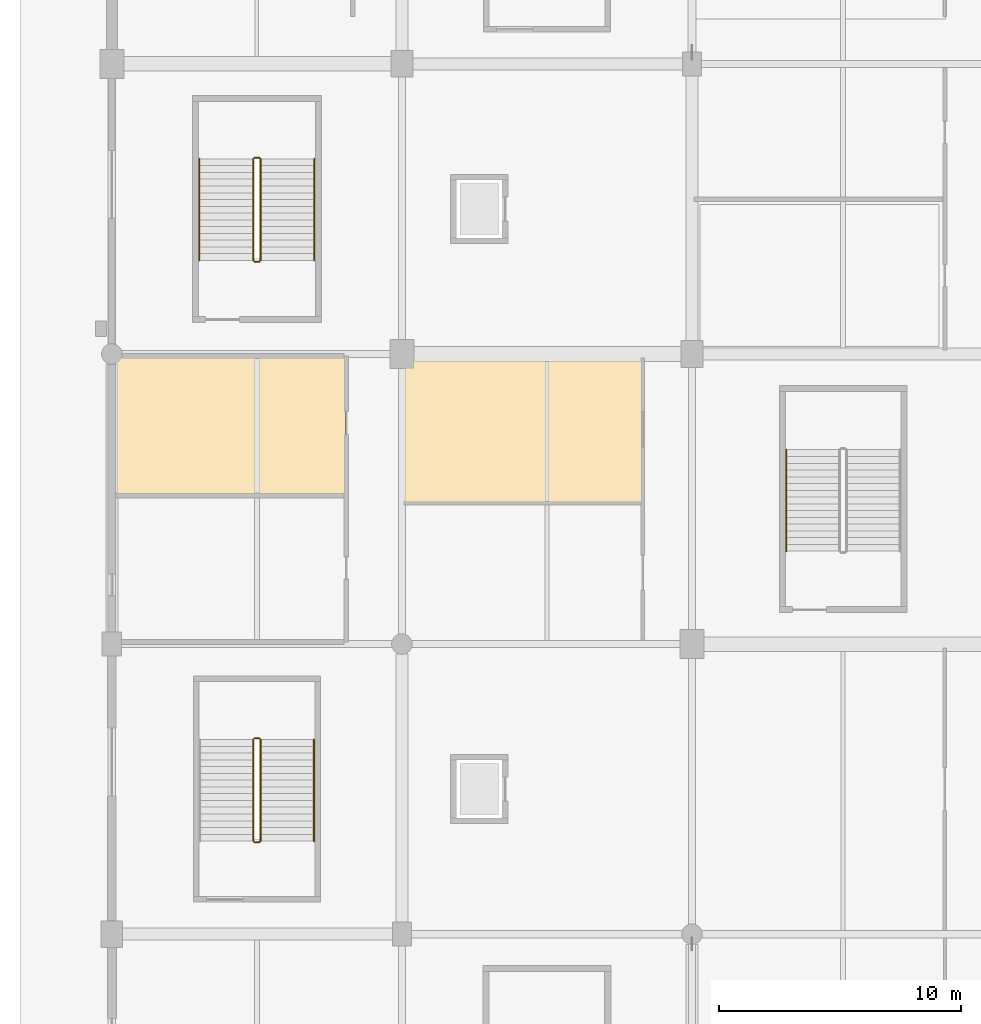
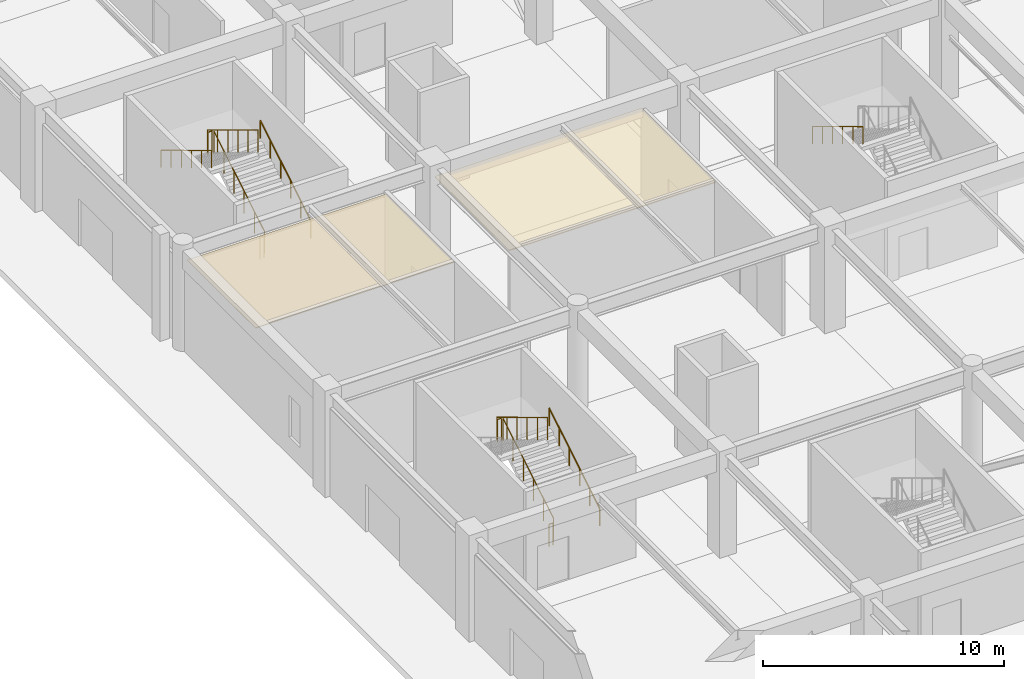
# One storey, part 46 of 69: 12 railings, 2 coverings.
"""IFC4 building model written with IfcOpenShell, lengths in metres."""

from ifc_helpers import new_model, si_unit, direction, frame, origin, origin_2d, place, context, subcontext, project, spatial, polyline, circle, outline, extrude, material, layer, layer_set, type_object, element, save


model = new_model("IFC4")

# Units and contexts
model_context = context("Model", 3, precision=1e-05, world=origin(), true_north=direction((0.0, 1.0)))
body_context = subcontext(model_context, "Body", "Model", "MODEL_VIEW")
ifc_project = project(units=[si_unit("LENGTHUNIT", "METRE"), si_unit("AREAUNIT", "SQUARE_METRE"), si_unit("VOLUMEUNIT", "CUBIC_METRE"), si_unit("PLANEANGLEUNIT", "RADIAN"), si_unit("MASSUNIT", "GRAM", prefix="KILO")], contexts=[model_context])

# Site, building, storey
site_placement = place(None, origin())
site = spatial("IfcSite", under=ifc_project, at=site_placement, CompositionType="ELEMENT")
building_placement = place(site_placement, origin())
building = spatial("IfcBuilding", under=site, at=building_placement, Name="Kazenohara Klinker Stadium", CompositionType="ELEMENT")
storey_placement = place(building_placement, origin())
storey = spatial("IfcBuildingStorey", under=building, at=storey_placement, Name="L00", CompositionType="ELEMENT", Elevation=0.0)

# Coverings
ifc_material_1 = material(Name="Perforated acoustic mineral-fibre ceiling tile", Category="gypsum")
ifc_layer_1 = layer(ifc_material_1, 0.030029296875)
ifc_layer_set_1 = layer_set([ifc_layer_1], Name="Perforated acoustic mineral-fibre ceiling tile")
covering_type_1 = type_object("IfcCoveringType", Name="COV-CEIL-01", PredefinedType="CEILING", material=ifc_layer_set_1)
covering_1_placement = place(storey_placement, frame((0.0, 0.0, 4.35009765625)))
element("IfcCovering", 1, at=covering_1_placement, inside=storey, type_object=covering_type_1, Name="Suspended acoustic ceiling CL01 Matchday Accreditation Security Suite", PredefinedType="CEILING", context=body_context, shape_type="SweptSolid", body=[
    extrude(outline(polyline([(0.1298828125, 78.179931640625), (9.669921875, 78.179931640625), (9.669921875, 83.8701171875), (0.1298828125, 83.8701171875), (0.1298828125, 78.179931640625)])), origin(), (0.0, 0.0, 1.0), 0.02978515625),
])
ifc_material_2 = material(Name="Slatted Hokkaido cedar acoustic baffle ceiling", Category="wood")
ifc_layer_2 = layer(ifc_material_2, 0.0400390625)
ifc_layer_set_2 = layer_set([ifc_layer_2], Name="Slatted Hokkaido cedar acoustic baffle ceiling")
covering_type_2 = type_object("IfcCoveringType", Name="COV-CEIL-02", PredefinedType="CEILING", material=ifc_layer_set_2)
covering_2_placement = place(storey_placement, frame((0.0, 0.0, 4.340087890625)))
element("IfcCovering", 2, at=covering_2_placement, inside=storey, type_object=covering_type_2, Name="Suspended acoustic ceiling CL02 Concourse Craft Beverage Tavern L00-0106B", PredefinedType="CEILING", context=body_context, shape_type="SweptSolid", body=[
    extrude(outline(polyline([(12.06005859375, 77.784912109375), (21.989990234375, 77.784912109375), (21.989990234375, 83.9599609375), (12.06005859375, 83.9599609375), (12.06005859375, 77.784912109375)])), origin(), (0.0, 0.0, 1.0), 0.039794921875),
])

# Railings
ifc_material_3 = material(Name="Brushed stainless steel 304 handrail", Category="steel")
ifc_layer_3 = layer(ifc_material_3, 0.050048828125)
ifc_layer_set_3 = layer_set([ifc_layer_3], Name="Brushed stainless steel 304 handrail")
railing_type_1 = type_object("IfcRailingType", Name="RL-HND-900", PredefinedType="HANDRAIL", material=ifc_layer_set_3)
for number, where, name in (
    (3, (8.360107421875, 63.85009765625, 0.168701171875), "L00 ST02 stair handrail 1"),
    (4, (8.3798828125, 87.8701171875, 0.168701171875), "L00 ST03 stair handrail 1"),
):
    element("IfcRailing", number, at=place(storey_placement, frame(where)), inside=storey, type_object=railing_type_1, Name=name, PredefinedType="HANDRAIL", context=body_context, shape_type="SweptSolid", body=[
        extrude(circle(Radius=0.02392578125, at=origin_2d()), frame((0.0, 0.0, 0.8759765625), z_axis=(0.0, 0.856476492594, 0.516186030065), x_axis=(-1.0, 0.0, 0.0)), (0.0, 0.0, 1.0), 4.90380859375),
        extrude(circle(Radius=0.02099609375, at=origin_2d()), origin(), (0.0, 0.0, 1.0), 0.851806640625),
        extrude(circle(Radius=0.02099609375, at=origin_2d()), frame((0.0, 0.840087890625, 0.50634765625)), (0.0, 0.0, 1.0), 0.851806640625),
        extrude(circle(Radius=0.02099609375, at=origin_2d()), frame((0.0, 1.679931640625, 1.012451171875)), (0.0, 0.0, 1.0), 0.851806640625),
        extrude(circle(Radius=0.02099609375, at=origin_2d()), frame((0.0, 2.52001953125, 1.518798828125)), (0.0, 0.0, 1.0), 0.851806640625),
        extrude(circle(Radius=0.02099609375, at=origin_2d()), frame((0.0, 3.35986328125, 2.02490234375)), (0.0, 0.0, 1.0), 0.851806640625),
        extrude(circle(Radius=0.02099609375, at=origin_2d()), frame((0.0, 4.199951171875, 2.53125)), (0.0, 0.0, 1.0), 0.851806640625),
    ])
for number, where, name in (
    (5, (3.6201171875, 92.070068359375, 2.86865234375), "L00 ST03 stair handrail 2"),
    (6, (27.89990234375, 80.0400390625, 2.86865234375), "L00 ST17 stair handrail 2"),
):
    element("IfcRailing", number, at=place(storey_placement, frame(where)), inside=storey, type_object=railing_type_1, Name=name, PredefinedType="HANDRAIL", context=body_context, shape_type="SweptSolid", body=[
        extrude(circle(Radius=0.02392578125, at=origin_2d()), frame((0.0, 0.0, 0.8759765625), z_axis=(0.0, -0.856476492594, 0.516186030065), x_axis=(1.0, 0.0, 0.0)), (0.0, 0.0, 1.0), 4.90380859375),
        extrude(circle(Radius=0.02099609375, at=origin_2d()), origin(), (0.0, 0.0, 1.0), 0.851806640625),
        extrude(circle(Radius=0.02099609375, at=origin_2d()), frame((0.0, -0.840087890625, 0.50634765625)), (0.0, 0.0, 1.0), 0.851806640625),
        extrude(circle(Radius=0.02099609375, at=origin_2d()), frame((0.0, -1.679931640625, 1.012451171875)), (0.0, 0.0, 1.0), 0.851806640625),
        extrude(circle(Radius=0.02099609375, at=origin_2d()), frame((0.0, -2.52001953125, 1.518798828125)), (0.0, 0.0, 1.0), 0.851806640625),
        extrude(circle(Radius=0.02099609375, at=origin_2d()), frame((0.0, -3.35986328125, 2.02490234375)), (0.0, 0.0, 1.0), 0.851806640625),
        extrude(circle(Radius=0.02099609375, at=origin_2d()), frame((0.0, -4.199951171875, 2.53125)), (0.0, 0.0, 1.0), 0.851806640625),
    ])
ifc_material_4 = material(Name="Painted steel stairwell guardrail", Category="steel")
ifc_layer_4 = layer(ifc_material_4, 0.06005859375)
ifc_layer_set_4 = layer_set([ifc_layer_4], Name="Painted steel stairwell guardrail")
railing_type_2 = type_object("IfcRailingType", Name="RL-STG-1120", PredefinedType="GUARDRAIL", material=ifc_layer_set_4)
railing_1_placement = place(storey_placement, frame((6.14990234375, 63.85009765625, 0.168701171875)))
element("IfcRailing", 7, at=railing_1_placement, inside=storey, type_object=railing_type_2, Name="L00 ST02 stair guard 1", PredefinedType="GUARDRAIL", context=body_context, shape_type="SweptSolid", body=[
    extrude(circle(Radius=0.02392578125, at=origin_2d()), frame((0.0, 0.0, 1.1259765625), z_axis=(0.0, 0.856476492594, 0.516186030065), x_axis=(-1.0, 0.0, 0.0)), (0.0, 0.0, 1.0), 4.90380859375),
    extrude(circle(Radius=0.02099609375, at=origin_2d()), origin(), (0.0, 0.0, 1.0), 1.101806640625),
    extrude(circle(Radius=0.02099609375, at=origin_2d()), frame((0.0, 0.840087890625, 0.50634765625)), (0.0, 0.0, 1.0), 1.101806640625),
    extrude(circle(Radius=0.02099609375, at=origin_2d()), frame((0.0, 1.679931640625, 1.012451171875)), (0.0, 0.0, 1.0), 1.101806640625),
    extrude(circle(Radius=0.02099609375, at=origin_2d()), frame((0.0, 2.52001953125, 1.518798828125)), (0.0, 0.0, 1.0), 1.101806640625),
    extrude(circle(Radius=0.02099609375, at=origin_2d()), frame((0.0, 3.35986328125, 2.02490234375)), (0.0, 0.0, 1.0), 1.101806640625),
    extrude(circle(Radius=0.02099609375, at=origin_2d()), frame((0.0, 4.199951171875, 2.53125)), (0.0, 0.0, 1.0), 1.101806640625),
])
railing_2_placement = place(storey_placement, frame((6.10009765625, 68.10009765625, 2.699951171875)))
element("IfcRailing", 8, at=railing_2_placement, inside=storey, type_object=railing_type_2, Name="L00 ST02 stair guard 2", PredefinedType="GUARDRAIL", context=body_context, shape_type="SweptSolid", body=[
    extrude(circle(Radius=0.02392578125, at=origin_2d()), frame((0.0, 0.0, 1.1259765625), z_axis=(-1.0, 0.0, 0.0), x_axis=(0.0, -1.0, 0.0)), (0.0, 0.0, 1.0), 0.2001953125),
    extrude(circle(Radius=0.02099609375, at=origin_2d()), origin(), (0.0, 0.0, 1.0), 1.101806640625),
    extrude(circle(Radius=0.02099609375, at=origin_2d()), frame((-0.2001953125, 0.0, 0.0)), (0.0, 0.0, 1.0), 1.101806640625),
])
railing_3_placement = place(storey_placement, frame((5.85009765625, 68.050048828125, 2.86865234375)))
element("IfcRailing", 9, at=railing_3_placement, inside=storey, type_object=railing_type_2, Name="L00 ST02 stair guard 3", PredefinedType="GUARDRAIL", context=body_context, shape_type="SweptSolid", body=[
    extrude(circle(Radius=0.02392578125, at=origin_2d()), frame((0.0, 0.0, 1.1259765625), z_axis=(0.0, -0.856476492594, 0.516186030065), x_axis=(1.0, 0.0, 0.0)), (0.0, 0.0, 1.0), 4.90380859375),
    extrude(circle(Radius=0.02099609375, at=origin_2d()), origin(), (0.0, 0.0, 1.0), 1.101806640625),
    extrude(circle(Radius=0.02099609375, at=origin_2d()), frame((0.0, -0.840087890625, 0.50634765625)), (0.0, 0.0, 1.0), 1.101806640625),
    extrude(circle(Radius=0.02099609375, at=origin_2d()), frame((0.0, -1.679931640625, 1.012451171875)), (0.0, 0.0, 1.0), 1.101806640625),
    extrude(circle(Radius=0.02099609375, at=origin_2d()), frame((0.0, -2.52001953125, 1.518798828125)), (0.0, 0.0, 1.0), 1.101806640625),
    extrude(circle(Radius=0.02099609375, at=origin_2d()), frame((0.0, -3.35986328125, 2.02490234375)), (0.0, 0.0, 1.0), 1.101806640625),
    extrude(circle(Radius=0.02099609375, at=origin_2d()), frame((0.0, -4.199951171875, 2.53125)), (0.0, 0.0, 1.0), 1.101806640625),
])
railing_4_placement = place(storey_placement, frame((6.10009765625, 63.800048828125, 0.0)))
element("IfcRailing", 10, at=railing_4_placement, inside=storey, type_object=railing_type_2, Name="L00 ST02 stair guard 4", PredefinedType="GUARDRAIL", context=body_context, shape_type="SweptSolid", body=[
    extrude(circle(Radius=0.02392578125, at=origin_2d()), frame((0.0, 0.0, 1.1259765625), z_axis=(-1.0, 0.0, 0.0), x_axis=(0.0, -1.0, 0.0)), (0.0, 0.0, 1.0), 0.2001953125),
    extrude(circle(Radius=0.02099609375, at=origin_2d()), origin(), (0.0, 0.0, 1.0), 1.101806640625),
    extrude(circle(Radius=0.02099609375, at=origin_2d()), frame((-0.2001953125, 0.0, 0.0)), (0.0, 0.0, 1.0), 1.101806640625),
])
railing_5_placement = place(storey_placement, frame((6.14990234375, 87.8701171875, 0.168701171875)))
element("IfcRailing", 11, at=railing_5_placement, inside=storey, type_object=railing_type_2, Name="L00 ST03 stair guard 1", PredefinedType="GUARDRAIL", context=body_context, shape_type="SweptSolid", body=[
    extrude(circle(Radius=0.02392578125, at=origin_2d()), frame((0.0, 0.0, 1.1259765625), z_axis=(0.0, 0.856476492594, 0.516186030065), x_axis=(-1.0, 0.0, 0.0)), (0.0, 0.0, 1.0), 4.90380859375),
    extrude(circle(Radius=0.02099609375, at=origin_2d()), origin(), (0.0, 0.0, 1.0), 1.101806640625),
    extrude(circle(Radius=0.02099609375, at=origin_2d()), frame((0.0, 0.840087890625, 0.50634765625)), (0.0, 0.0, 1.0), 1.101806640625),
    extrude(circle(Radius=0.02099609375, at=origin_2d()), frame((0.0, 1.679931640625, 1.012451171875)), (0.0, 0.0, 1.0), 1.101806640625),
    extrude(circle(Radius=0.02099609375, at=origin_2d()), frame((0.0, 2.52001953125, 1.518798828125)), (0.0, 0.0, 1.0), 1.101806640625),
    extrude(circle(Radius=0.02099609375, at=origin_2d()), frame((0.0, 3.35986328125, 2.02490234375)), (0.0, 0.0, 1.0), 1.101806640625),
    extrude(circle(Radius=0.02099609375, at=origin_2d()), frame((0.0, 4.199951171875, 2.53125)), (0.0, 0.0, 1.0), 1.101806640625),
])
railing_6_placement = place(storey_placement, frame((6.10009765625, 92.1201171875, 2.699951171875)))
element("IfcRailing", 12, at=railing_6_placement, inside=storey, type_object=railing_type_2, Name="L00 ST03 stair guard 2", PredefinedType="GUARDRAIL", context=body_context, shape_type="SweptSolid", body=[
    extrude(circle(Radius=0.02392578125, at=origin_2d()), frame((0.0, 0.0, 1.1259765625), z_axis=(-1.0, 0.0, 0.0), x_axis=(0.0, -1.0, 0.0)), (0.0, 0.0, 1.0), 0.2001953125),
    extrude(circle(Radius=0.02099609375, at=origin_2d()), origin(), (0.0, 0.0, 1.0), 1.101806640625),
    extrude(circle(Radius=0.02099609375, at=origin_2d()), frame((-0.2001953125, 0.0, 0.0)), (0.0, 0.0, 1.0), 1.101806640625),
])
railing_7_placement = place(storey_placement, frame((5.85009765625, 92.070068359375, 2.86865234375)))
element("IfcRailing", 13, at=railing_7_placement, inside=storey, type_object=railing_type_2, Name="L00 ST03 stair guard 3", PredefinedType="GUARDRAIL", context=body_context, shape_type="SweptSolid", body=[
    extrude(circle(Radius=0.02392578125, at=origin_2d()), frame((0.0, 0.0, 1.1259765625), z_axis=(0.0, -0.856476492594, 0.516186030065), x_axis=(1.0, 0.0, 0.0)), (0.0, 0.0, 1.0), 4.90380859375),
    extrude(circle(Radius=0.02099609375, at=origin_2d()), origin(), (0.0, 0.0, 1.0), 1.101806640625),
    extrude(circle(Radius=0.02099609375, at=origin_2d()), frame((0.0, -0.840087890625, 0.50634765625)), (0.0, 0.0, 1.0), 1.101806640625),
    extrude(circle(Radius=0.02099609375, at=origin_2d()), frame((0.0, -1.679931640625, 1.012451171875)), (0.0, 0.0, 1.0), 1.101806640625),
    extrude(circle(Radius=0.02099609375, at=origin_2d()), frame((0.0, -2.52001953125, 1.518798828125)), (0.0, 0.0, 1.0), 1.101806640625),
    extrude(circle(Radius=0.02099609375, at=origin_2d()), frame((0.0, -3.35986328125, 2.02490234375)), (0.0, 0.0, 1.0), 1.101806640625),
    extrude(circle(Radius=0.02099609375, at=origin_2d()), frame((0.0, -4.199951171875, 2.53125)), (0.0, 0.0, 1.0), 1.101806640625),
])
railing_8_placement = place(storey_placement, frame((6.10009765625, 87.820068359375, 0.0)))
element("IfcRailing", 14, at=railing_8_placement, inside=storey, type_object=railing_type_2, Name="L00 ST03 stair guard 4", PredefinedType="GUARDRAIL", context=body_context, shape_type="SweptSolid", body=[
    extrude(circle(Radius=0.02392578125, at=origin_2d()), frame((0.0, 0.0, 1.1259765625), z_axis=(-1.0, 0.0, 0.0), x_axis=(0.0, -1.0, 0.0)), (0.0, 0.0, 1.0), 0.2001953125),
    extrude(circle(Radius=0.02099609375, at=origin_2d()), origin(), (0.0, 0.0, 1.0), 1.101806640625),
    extrude(circle(Radius=0.02099609375, at=origin_2d()), frame((-0.2001953125, 0.0, 0.0)), (0.0, 0.0, 1.0), 1.101806640625),
])

save(model, "model.ifc")
